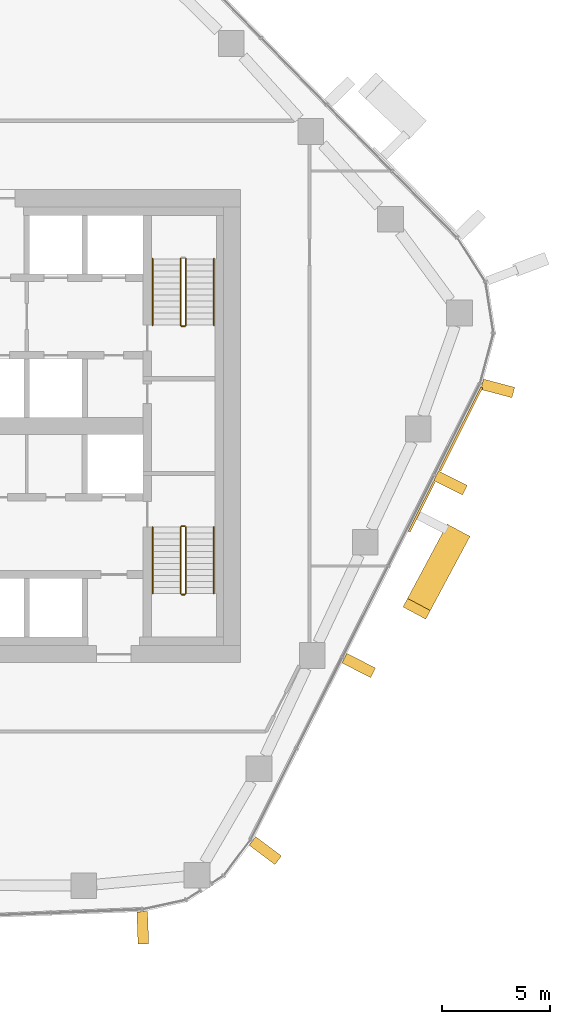
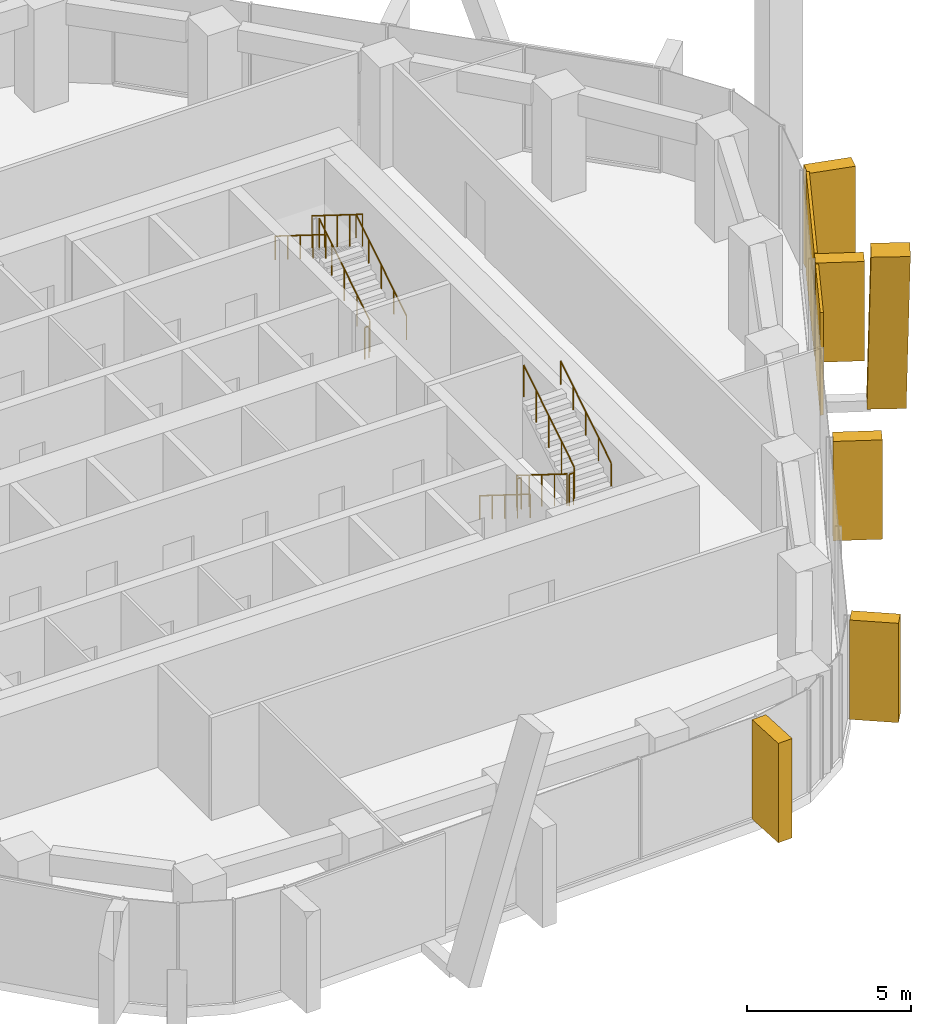
# One storey, part 17 of 19: 11 railings, 8 coverings, 4 elements without a shape of their own.
"""IFC4 building model written with IfcOpenShell, lengths in metres."""

from ifc_helpers import new_model, si_unit, direction, frame, origin, origin_2d, place, context, subcontext, project, spatial, rectangle, circle, extrude, material, layer, layer_set, material_profile, profile_set, type_object, element, aggregate, save


model = new_model("IFC4")

# Units and contexts
model_context = context("Model", 3, precision=1e-05, world=origin(), true_north=direction((0.0, 1.0)))
body_context = subcontext(model_context, "Body", "Model", "MODEL_VIEW")
ifc_project = project(units=[si_unit("LENGTHUNIT", "METRE"), si_unit("AREAUNIT", "SQUARE_METRE"), si_unit("VOLUMEUNIT", "CUBIC_METRE"), si_unit("PLANEANGLEUNIT", "RADIAN"), si_unit("MASSUNIT", "GRAM", prefix="KILO")], contexts=[model_context])

# Site, building, storey
site_placement = place(None, origin())
site = spatial("IfcSite", under=ifc_project, at=site_placement, CompositionType="ELEMENT")
building_placement = place(site_placement, origin())
building = spatial("IfcBuilding", under=site, at=building_placement, Name="Dongbaek Canopy Tower", CompositionType="ELEMENT")
storey_placement = place(building_placement, frame((0.0, 0.0, 198.800048828125)))
storey = spatial("IfcBuildingStorey", under=building, at=storey_placement, Name="L41", CompositionType="ELEMENT", Elevation=198.800048828125)

# Curtain wall, coverings
ifc_material_1 = material(Name="Aluminium 6063-T6 pale anodised", Category="aluminium")
ifc_layer_1 = layer(ifc_material_1, 0.199951171875)
ifc_layer_set_1 = layer_set([ifc_layer_1], Name="CW-1 unitised tower curtain wall")
curtain_wall_type = type_object("IfcCurtainWallType", Name="CW-1 unitised tower curtain wall", PredefinedType="NOTDEFINED", material=ifc_layer_set_1)
curtain_wall_1_placement = place(storey_placement, origin())
curtain_wall_1 = element("IfcCurtainWall", 1, at=curtain_wall_1_placement, inside=storey, type_object=curtain_wall_type, Name="CW-1 curtain wall F5.1", PredefinedType="NOTDEFINED")
ifc_material_2 = material(Name="Aluminium 6063-T6 pale metal fin", Category="aluminium")
ifc_material_profile_1 = material_profile(ifc_material_2, rectangle(XDim=1.199951171875, YDim=0.5, at=origin_2d()), Name="Crease fin CF1 500 x 1200 pale metal")
ifc_profile_set_1 = profile_set([ifc_material_profile_1], Name="Aluminium 6063-T6 pale metal fin")
covering_type_1 = type_object("IfcCoveringType", Name="Crease fin CF1 500 x 1200 pale metal", PredefinedType="CLADDING", material=ifc_profile_set_1)
covering_1_placement = place(storey_placement, frame((24.027587890625, -5.0439453125, -0.18994140625), z_axis=(-0.199177291238, -0.372350880564, 0.906467444753), x_axis=(0.881771969265, -0.471675941954, 0.0)))
covering_1 = element("IfcCovering", 2, at=covering_1_placement, type_object=covering_type_1, Name="Crease fin L41 L43 F5", PredefinedType="CLADDING", context=body_context, shape_type="SweptSolid", body=[
    extrude(rectangle(XDim=1.199951171875, YDim=0.5, at=origin_2d()), origin(), (0.0, 0.0, 1.0), 9.2666015625),
])
ifc_material_3 = material(Name="Perforated aluminium 6063-T6 pale metal screen", Category="aluminium")
ifc_layer_2 = layer(ifc_material_3, 0.10009765625)
ifc_layer_set_2 = layer_set([ifc_layer_2], Name="Facet screen FS1 100 pale metal")
covering_type_2 = type_object("IfcCoveringType", Name="Facet screen FS1 100 pale metal", PredefinedType="CLADDING", material=ifc_layer_set_2)
covering_2_placement = place(storey_placement, frame((22.416015625, -3.748779296875, 0.0), z_axis=(0.0, 0.0, 1.0), x_axis=(0.449498300694, 0.89328118623, 0.0)))
covering_2 = element("IfcCovering", 3, at=covering_2_placement, type_object=covering_type_2, Name="Facet screen L41 F5", PredefinedType="CLADDING", context=body_context, shape_type="SweptSolid", body=[
    extrude(rectangle(XDim=2.601806640625, YDim=0.10009765625, at=origin_2d()), origin(), (0.0, 0.0, 1.0), 3.820068359375),
])
covering_3_placement = place(storey_placement, frame((24.23583984375, -0.132080078125, 0.0), z_axis=(0.0, 0.0, 1.0), x_axis=(0.449498300694, 0.89328118623, 0.0)))
covering_3 = element("IfcCovering", 4, at=covering_3_placement, type_object=covering_type_2, Name="Facet screen L41 F5", PredefinedType="CLADDING", context=body_context, shape_type="SweptSolid", body=[
    extrude(rectangle(XDim=4.33544921875, YDim=0.10009765625, at=origin_2d()), origin(), (0.0, 0.0, 1.0), 3.820068359375),
])

# Curtain wall, covering
curtain_wall_2_placement = place(storey_placement, origin())
curtain_wall_2 = element("IfcCurtainWall", 5, at=curtain_wall_2_placement, inside=storey, type_object=curtain_wall_type, Name="CW-1 curtain wall K0.1", PredefinedType="NOTDEFINED")
ifc_material_4 = material(Name="Aluminium 6063-T6 pale metal fin", Category="aluminium")
ifc_material_profile_2 = material_profile(ifc_material_4, rectangle(XDim=1.5, YDim=0.5, at=origin_2d()), Name="Fin FN1 500 x 1500 pale metal")
ifc_profile_set_2 = profile_set([ifc_material_profile_2], Name="Aluminium 6063-T6 pale metal fin")
covering_type_3 = type_object("IfcCoveringType", Name="Fin FN1 500 x 1500 pale metal", PredefinedType="CLADDING", material=ifc_profile_set_2)
covering_4_placement = place(storey_placement, frame((25.953125, 1.7548828125, 0.119873046875), z_axis=(0.0, 0.0, 1.0), x_axis=(0.966599210412, -0.256292735815, 0.0)))
covering_4 = element("IfcCovering", 6, at=covering_4_placement, type_object=covering_type_3, Name="Fin K0.1.1", PredefinedType="CLADDING", context=body_context, shape_type="SweptSolid", body=[
    extrude(rectangle(XDim=1.5, YDim=0.5, at=origin_2d()), origin(), (0.0, 0.0, 1.0), 3.7001953125),
])
aggregate(curtain_wall_2, [covering_4])

curtain_wall_3_placement = place(storey_placement, origin())
curtain_wall_3 = element("IfcCurtainWall", 7, at=curtain_wall_3_placement, inside=storey, type_object=curtain_wall_type, Name="CW-1 curtain wall F4.1", PredefinedType="NOTDEFINED")
covering_5_placement = place(storey_placement, frame((9.44384765625, -23.331787109375, 0.119873046875), z_axis=(0.0, 0.0, 1.0), x_axis=(0.039275850271, -0.999228406114, 0.0)))
covering_5 = element("IfcCovering", 8, at=covering_5_placement, type_object=covering_type_3, Name="Fin F4.1.5", PredefinedType="CLADDING", context=body_context, shape_type="SweptSolid", body=[
    extrude(rectangle(XDim=1.5, YDim=0.5, at=origin_2d()), origin(), (0.0, 0.0, 1.0), 3.7001953125),
])
aggregate(curtain_wall_3, [covering_5])

curtain_wall_4_placement = place(storey_placement, origin())
curtain_wall_4 = element("IfcCurtainWall", 9, at=curtain_wall_4_placement, inside=storey, type_object=curtain_wall_type, Name="CW-1 curtain wall K5.1b", PredefinedType="NOTDEFINED")
covering_6_placement = place(storey_placement, frame((15.141845703125, -19.740966796875, 0.119873046875), z_axis=(0.0, 0.0, 1.0), x_axis=(0.799847450352, -0.60020334568, 0.0)))
covering_6 = element("IfcCovering", 10, at=covering_6_placement, type_object=covering_type_3, Name="Fin K5.1b.3", PredefinedType="CLADDING", context=body_context, shape_type="SweptSolid", body=[
    extrude(rectangle(XDim=1.5, YDim=0.5, at=origin_2d()), origin(), (0.0, 0.0, 1.0), 3.7001953125),
])
aggregate(curtain_wall_4, [covering_6])

# Covering
covering_7_placement = place(storey_placement, frame((19.488525390625, -11.13232421875, 0.119873046875), z_axis=(0.0, 0.0, 1.0), x_axis=(0.893280880274, -0.449498908716, 0.0)))
covering_7 = element("IfcCovering", 11, at=covering_7_placement, type_object=covering_type_3, Name="Fin F5.1.3", PredefinedType="CLADDING", context=body_context, shape_type="SweptSolid", body=[
    extrude(rectangle(XDim=1.5, YDim=0.5, at=origin_2d()), origin(), (0.0, 0.0, 1.0), 3.7001953125),
])

covering_8_placement = place(storey_placement, frame((23.760009765625, -2.64404296875, 0.119873046875), z_axis=(0.0, 0.0, 1.0), x_axis=(0.893280880274, -0.449498908716, 0.0)))
covering_8 = element("IfcCovering", 12, at=covering_8_placement, type_object=covering_type_3, Name="Fin F5.1.5", PredefinedType="CLADDING", context=body_context, shape_type="SweptSolid", body=[
    extrude(rectangle(XDim=1.5, YDim=0.5, at=origin_2d()), origin(), (0.0, 0.0, 1.0), 3.7001953125),
])

aggregate(curtain_wall_1, [covering_7, covering_8, covering_1, covering_2, covering_3])

# Railings
ifc_material_5 = material(Name="Stainless steel tube and balusters", Category="steel")
railing_type_1 = type_object("IfcRailingType", Name="Stair guard 1200", PredefinedType="GUARDRAIL", material=ifc_material_5)
railing_1_placement = place(storey_placement, frame((11.449951171875, 4.699951171875, 0.175048828125)))
element("IfcRailing", 13, at=railing_1_placement, inside=storey, type_object=railing_type_1, Name="L41 ST-A stair guard 1", PredefinedType="GUARDRAIL", context=body_context, shape_type="SweptSolid", body=[
    extrude(circle(Radius=0.02392578125, at=origin_2d()), frame((0.0, 0.0, 1.17578125), z_axis=(0.0, 0.848028513186, 0.529950602248), x_axis=(-1.0, 0.0, 0.0)), (0.0, 0.0, 1.0), 3.632080078125),
    extrude(circle(Radius=0.02099609375, at=origin_2d()), origin(), (0.0, 0.0, 1.0), 1.15185546875),
    extrude(circle(Radius=0.02099609375, at=origin_2d()), frame((0.0, 0.77001953125, 0.481201171875)), (0.0, 0.0, 1.0), 1.15185546875),
    extrude(circle(Radius=0.02099609375, at=origin_2d()), frame((0.0, 1.5400390625, 0.96240234375)), (0.0, 0.0, 1.0), 1.15185546875),
    extrude(circle(Radius=0.02099609375, at=origin_2d()), frame((0.0, 2.31005859375, 1.443603515625)), (0.0, 0.0, 1.0), 1.15185546875),
    extrude(circle(Radius=0.02099609375, at=origin_2d()), frame((0.0, 3.080078125, 1.9248046875)), (0.0, 0.0, 1.0), 1.15185546875),
])
railing_2_placement = place(storey_placement, frame((11.199951171875, 7.780029296875, 2.27490234375)))
element("IfcRailing", 14, at=railing_2_placement, inside=storey, type_object=railing_type_1, Name="L41 ST-A stair guard 3", PredefinedType="GUARDRAIL", context=body_context, shape_type="SweptSolid", body=[
    extrude(circle(Radius=0.02392578125, at=origin_2d()), frame((0.0, 0.0, 1.17578125), z_axis=(0.0, -0.847998304005, 0.529998940003), x_axis=(1.0, 0.0, 0.0)), (0.0, 0.0, 1.0), 3.632080078125),
    extrude(circle(Radius=0.02099609375, at=origin_2d()), origin(), (0.0, 0.0, 1.0), 1.15185546875),
    extrude(circle(Radius=0.02099609375, at=origin_2d()), frame((0.0, -0.77001953125, 0.481201171875)), (0.0, 0.0, 1.0), 1.15185546875),
    extrude(circle(Radius=0.02099609375, at=origin_2d()), frame((0.0, -1.5400390625, 0.96240234375)), (0.0, 0.0, 1.0), 1.15185546875),
    extrude(circle(Radius=0.02099609375, at=origin_2d()), frame((0.0, -2.31005859375, 1.44384765625)), (0.0, 0.0, 1.0), 1.15185546875),
    extrude(circle(Radius=0.02099609375, at=origin_2d()), frame((0.0, -3.080078125, 1.925048828125)), (0.0, 0.0, 1.0), 1.15185546875),
])
railing_3_placement = place(storey_placement, frame((11.39990234375, 4.64990234375, 0.0)))
element("IfcRailing", 15, at=railing_3_placement, inside=storey, type_object=railing_type_1, Name="L41 ST-A stair guard 4", PredefinedType="GUARDRAIL", context=body_context, shape_type="SweptSolid", body=[
    extrude(circle(Radius=0.02392578125, at=origin_2d()), frame((0.0, 0.0, 1.17578125), z_axis=(-1.0, 0.0, 0.0), x_axis=(0.0, -1.0, 0.0)), (0.0, 0.0, 1.0), 0.14990234375),
    extrude(circle(Radius=0.02099609375, at=origin_2d()), origin(), (0.0, 0.0, 1.0), 1.15185546875),
    extrude(circle(Radius=0.02099609375, at=origin_2d()), frame((-0.14990234375, 0.0, 0.0)), (0.0, 0.0, 1.0), 1.15185546875),
])
railing_4_placement = place(storey_placement, frame((11.199951171875, -4.699951171875, 0.175048828125)))
element("IfcRailing", 16, at=railing_4_placement, inside=storey, type_object=railing_type_1, Name="L41 ST-B stair guard 1", PredefinedType="GUARDRAIL", context=body_context, shape_type="SweptSolid", body=[
    extrude(circle(Radius=0.02392578125, at=origin_2d()), frame((0.0, 0.0, 1.17578125), z_axis=(0.0, -0.848028513186, 0.529950602248), x_axis=(1.0, 0.0, 0.0)), (0.0, 0.0, 1.0), 3.632080078125),
    extrude(circle(Radius=0.02099609375, at=origin_2d()), origin(), (0.0, 0.0, 1.0), 1.15185546875),
    extrude(circle(Radius=0.02099609375, at=origin_2d()), frame((0.0, -0.77001953125, 0.481201171875)), (0.0, 0.0, 1.0), 1.15185546875),
    extrude(circle(Radius=0.02099609375, at=origin_2d()), frame((0.0, -1.5400390625, 0.96240234375)), (0.0, 0.0, 1.0), 1.15185546875),
    extrude(circle(Radius=0.02099609375, at=origin_2d()), frame((0.0, -2.31005859375, 1.443603515625)), (0.0, 0.0, 1.0), 1.15185546875),
    extrude(circle(Radius=0.02099609375, at=origin_2d()), frame((0.0, -3.080078125, 1.9248046875)), (0.0, 0.0, 1.0), 1.15185546875),
])
railing_5_placement = place(storey_placement, frame((11.25, -7.830078125, 2.099853515625)))
element("IfcRailing", 17, at=railing_5_placement, inside=storey, type_object=railing_type_1, Name="L41 ST-B stair guard 2", PredefinedType="GUARDRAIL", context=body_context, shape_type="SweptSolid", body=[
    extrude(circle(Radius=0.02392578125, at=origin_2d()), frame((0.0, 0.0, 1.17578125), z_axis=(1.0, 0.0, 0.0), x_axis=(0.0, 1.0, 0.0)), (0.0, 0.0, 1.0), 0.14990234375),
    extrude(circle(Radius=0.02099609375, at=origin_2d()), origin(), (0.0, 0.0, 1.0), 1.15185546875),
    extrude(circle(Radius=0.02099609375, at=origin_2d()), frame((0.14990234375, 0.0, 0.0)), (0.0, 0.0, 1.0), 1.15185546875),
])
railing_6_placement = place(storey_placement, frame((11.449951171875, -7.780029296875, 2.27490234375)))
element("IfcRailing", 18, at=railing_6_placement, inside=storey, type_object=railing_type_1, Name="L41 ST-B stair guard 3", PredefinedType="GUARDRAIL", context=body_context, shape_type="SweptSolid", body=[
    extrude(circle(Radius=0.02392578125, at=origin_2d()), frame((0.0, 0.0, 1.17578125), z_axis=(0.0, 0.847998304005, 0.529998940003), x_axis=(-1.0, 0.0, 0.0)), (0.0, 0.0, 1.0), 3.632080078125),
    extrude(circle(Radius=0.02099609375, at=origin_2d()), origin(), (0.0, 0.0, 1.0), 1.15185546875),
    extrude(circle(Radius=0.02099609375, at=origin_2d()), frame((0.0, 0.77001953125, 0.481201171875)), (0.0, 0.0, 1.0), 1.15185546875),
    extrude(circle(Radius=0.02099609375, at=origin_2d()), frame((0.0, 1.5400390625, 0.96240234375)), (0.0, 0.0, 1.0), 1.15185546875),
    extrude(circle(Radius=0.02099609375, at=origin_2d()), frame((0.0, 2.31005859375, 1.44384765625)), (0.0, 0.0, 1.0), 1.15185546875),
    extrude(circle(Radius=0.02099609375, at=origin_2d()), frame((0.0, 3.080078125, 1.925048828125)), (0.0, 0.0, 1.0), 1.15185546875),
])
railing_7_placement = place(storey_placement, frame((11.25, -4.64990234375, 0.0)))
element("IfcRailing", 19, at=railing_7_placement, inside=storey, type_object=railing_type_1, Name="L41 ST-B stair guard 4", PredefinedType="GUARDRAIL", context=body_context, shape_type="SweptSolid", body=[
    extrude(circle(Radius=0.02392578125, at=origin_2d()), frame((0.0, 0.0, 1.17578125), z_axis=(1.0, 0.0, 0.0), x_axis=(0.0, 1.0, 0.0)), (0.0, 0.0, 1.0), 0.14990234375),
    extrude(circle(Radius=0.02099609375, at=origin_2d()), origin(), (0.0, 0.0, 1.0), 1.15185546875),
    extrude(circle(Radius=0.02099609375, at=origin_2d()), frame((0.14990234375, 0.0, 0.0)), (0.0, 0.0, 1.0), 1.15185546875),
])
ifc_material_6 = material(Name="Stainless steel tube", Category="steel")
railing_type_2 = type_object("IfcRailingType", Name="Stair handrail 900", PredefinedType="HANDRAIL", material=ifc_material_6)
railing_8_placement = place(storey_placement, frame((12.75, 4.699951171875, 0.175048828125)))
element("IfcRailing", 20, at=railing_8_placement, inside=storey, type_object=railing_type_2, Name="L41 ST-A stair handrail 1", PredefinedType="HANDRAIL", context=body_context, shape_type="SweptSolid", body=[
    extrude(circle(Radius=0.02392578125, at=origin_2d()), frame((0.0, 0.0, 0.8759765625), z_axis=(0.0, 0.848028513186, 0.529950602248), x_axis=(-1.0, 0.0, 0.0)), (0.0, 0.0, 1.0), 3.632080078125),
    extrude(circle(Radius=0.02099609375, at=origin_2d()), origin(), (0.0, 0.0, 1.0), 0.851806640625),
    extrude(circle(Radius=0.02099609375, at=origin_2d()), frame((0.0, 0.77001953125, 0.481201171875)), (0.0, 0.0, 1.0), 0.851806640625),
    extrude(circle(Radius=0.02099609375, at=origin_2d()), frame((0.0, 1.5400390625, 0.96240234375)), (0.0, 0.0, 1.0), 0.851806640625),
    extrude(circle(Radius=0.02099609375, at=origin_2d()), frame((0.0, 2.31005859375, 1.443603515625)), (0.0, 0.0, 1.0), 0.851806640625),
    extrude(circle(Radius=0.02099609375, at=origin_2d()), frame((0.0, 3.080078125, 1.9248046875)), (0.0, 0.0, 1.0), 0.851806640625),
])
railing_9_placement = place(storey_placement, frame((9.89990234375, 7.780029296875, 2.27490234375)))
element("IfcRailing", 21, at=railing_9_placement, inside=storey, type_object=railing_type_2, Name="L41 ST-A stair handrail 2", PredefinedType="HANDRAIL", context=body_context, shape_type="SweptSolid", body=[
    extrude(circle(Radius=0.02392578125, at=origin_2d()), frame((0.0, 0.0, 0.8759765625), z_axis=(0.0, -0.847998304005, 0.529998940003), x_axis=(1.0, 0.0, 0.0)), (0.0, 0.0, 1.0), 3.632080078125),
    extrude(circle(Radius=0.02099609375, at=origin_2d()), origin(), (0.0, 0.0, 1.0), 0.851806640625),
    extrude(circle(Radius=0.02099609375, at=origin_2d()), frame((0.0, -0.77001953125, 0.481201171875)), (0.0, 0.0, 1.0), 0.851806640625),
    extrude(circle(Radius=0.02099609375, at=origin_2d()), frame((0.0, -1.5400390625, 0.96240234375)), (0.0, 0.0, 1.0), 0.851806640625),
    extrude(circle(Radius=0.02099609375, at=origin_2d()), frame((0.0, -2.31005859375, 1.44384765625)), (0.0, 0.0, 1.0), 0.851806640625),
    extrude(circle(Radius=0.02099609375, at=origin_2d()), frame((0.0, -3.080078125, 1.925048828125)), (0.0, 0.0, 1.0), 0.851806640625),
])
railing_10_placement = place(storey_placement, frame((9.89990234375, -4.699951171875, 0.175048828125)))
element("IfcRailing", 22, at=railing_10_placement, inside=storey, type_object=railing_type_2, Name="L41 ST-B stair handrail 1", PredefinedType="HANDRAIL", context=body_context, shape_type="SweptSolid", body=[
    extrude(circle(Radius=0.02392578125, at=origin_2d()), frame((0.0, 0.0, 0.8759765625), z_axis=(0.0, -0.848028513186, 0.529950602248), x_axis=(1.0, 0.0, 0.0)), (0.0, 0.0, 1.0), 3.632080078125),
    extrude(circle(Radius=0.02099609375, at=origin_2d()), origin(), (0.0, 0.0, 1.0), 0.851806640625),
    extrude(circle(Radius=0.02099609375, at=origin_2d()), frame((0.0, -0.77001953125, 0.481201171875)), (0.0, 0.0, 1.0), 0.851806640625),
    extrude(circle(Radius=0.02099609375, at=origin_2d()), frame((0.0, -1.5400390625, 0.96240234375)), (0.0, 0.0, 1.0), 0.851806640625),
    extrude(circle(Radius=0.02099609375, at=origin_2d()), frame((0.0, -2.31005859375, 1.443603515625)), (0.0, 0.0, 1.0), 0.851806640625),
    extrude(circle(Radius=0.02099609375, at=origin_2d()), frame((0.0, -3.080078125, 1.9248046875)), (0.0, 0.0, 1.0), 0.851806640625),
])
railing_11_placement = place(storey_placement, frame((12.75, -7.780029296875, 2.27490234375)))
element("IfcRailing", 23, at=railing_11_placement, inside=storey, type_object=railing_type_2, Name="L41 ST-B stair handrail 2", PredefinedType="HANDRAIL", context=body_context, shape_type="SweptSolid", body=[
    extrude(circle(Radius=0.02392578125, at=origin_2d()), frame((0.0, 0.0, 0.8759765625), z_axis=(0.0, 0.847998304005, 0.529998940003), x_axis=(-1.0, 0.0, 0.0)), (0.0, 0.0, 1.0), 3.632080078125),
    extrude(circle(Radius=0.02099609375, at=origin_2d()), origin(), (0.0, 0.0, 1.0), 0.851806640625),
    extrude(circle(Radius=0.02099609375, at=origin_2d()), frame((0.0, 0.77001953125, 0.481201171875)), (0.0, 0.0, 1.0), 0.851806640625),
    extrude(circle(Radius=0.02099609375, at=origin_2d()), frame((0.0, 1.5400390625, 0.96240234375)), (0.0, 0.0, 1.0), 0.851806640625),
    extrude(circle(Radius=0.02099609375, at=origin_2d()), frame((0.0, 2.31005859375, 1.44384765625)), (0.0, 0.0, 1.0), 0.851806640625),
    extrude(circle(Radius=0.02099609375, at=origin_2d()), frame((0.0, 3.080078125, 1.925048828125)), (0.0, 0.0, 1.0), 0.851806640625),
])

save(model, "model.ifc")
